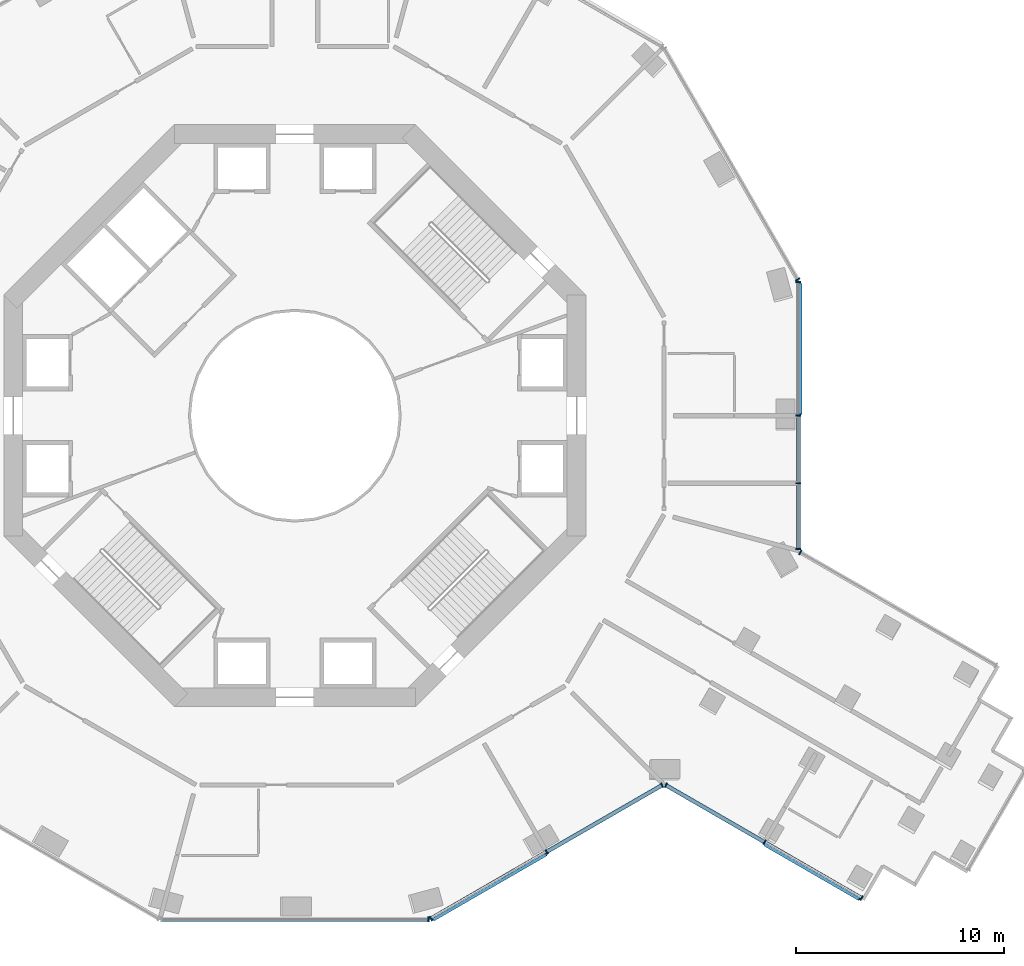
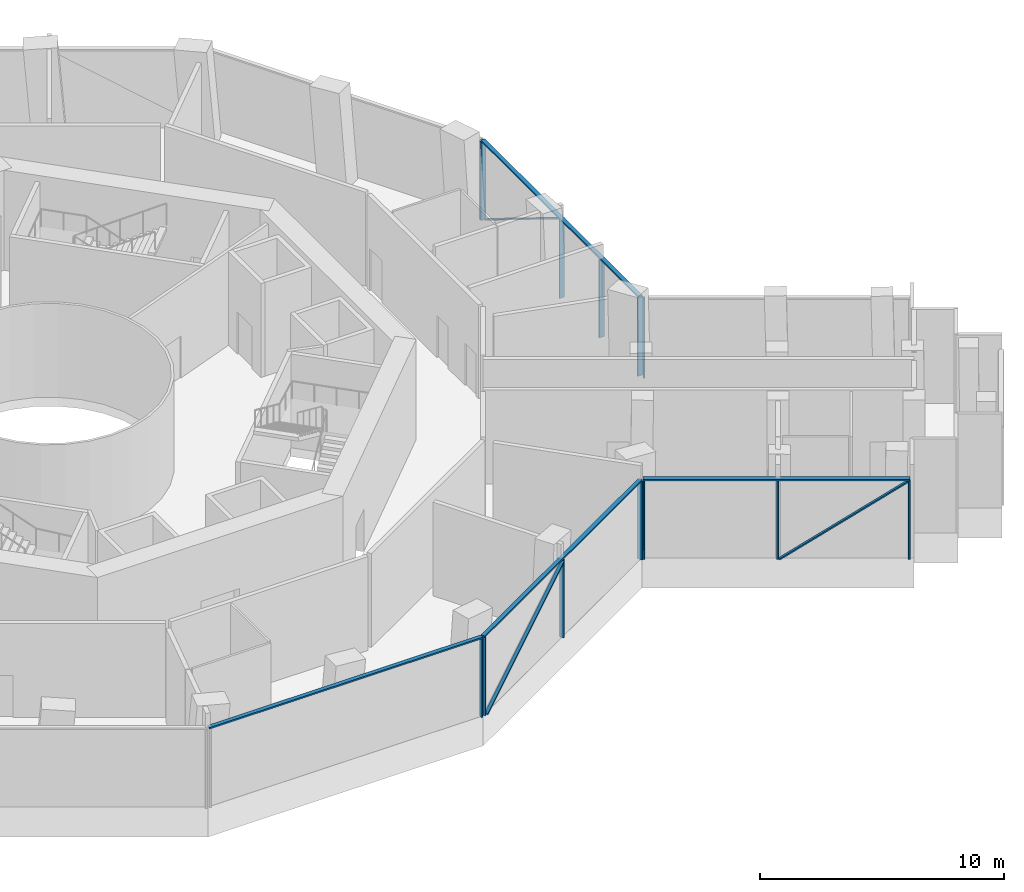
# One storey, part 3 of 16: 20 members, 6 elements without a shape of their own.
"""IFC4 building model written with IfcOpenShell, lengths in metres."""

from ifc_helpers import new_model, si_unit, direction, frame, origin, origin_2d, place, context, subcontext, project, spatial, rectangle, extrude, material, layer, layer_set, material_profile, profile_set, type_object, element, aggregate, save


model = new_model("IFC4")

# Units and contexts
model_context = context("Model", 3, precision=1e-05, world=origin(), true_north=direction((0.0, 1.0)))
body_context = subcontext(model_context, "Body", "Model", "MODEL_VIEW")
ifc_project = project(units=[si_unit("LENGTHUNIT", "METRE"), si_unit("AREAUNIT", "SQUARE_METRE"), si_unit("VOLUMEUNIT", "CUBIC_METRE"), si_unit("PLANEANGLEUNIT", "RADIAN"), si_unit("MASSUNIT", "GRAM", prefix="KILO")], contexts=[model_context])

# Site, building, storey
site_placement = place(None, origin())
site = spatial("IfcSite", under=ifc_project, at=site_placement, CompositionType="ELEMENT")
building_placement = place(site_placement, origin())
building = spatial("IfcBuilding", under=site, at=building_placement, Name="Verdalira Terraces Hotel", CompositionType="ELEMENT")
storey_placement = place(building_placement, frame((0.0, 0.0, 34.0)))
storey = spatial("IfcBuildingStorey", under=building, at=storey_placement, Name="L06", CompositionType="ELEMENT", Elevation=34.0)

# Curtain wall, member
ifc_material_1 = material(Name="Clear glass", Category="glass")
ifc_layer = layer(ifc_material_1, 0.239990234375)
ifc_layer_set = layer_set([ifc_layer], Name="CW5 curtain wall")
curtain_wall_type = type_object("IfcCurtainWallType", Name="CW5 curtain wall", PredefinedType="NOTDEFINED", material=ifc_layer_set)
curtain_wall_1_placement = place(storey_placement, origin())
curtain_wall_1 = element("IfcCurtainWall", 1, at=curtain_wall_1_placement, inside=storey, type_object=curtain_wall_type, Name="CW5 curtain wall L06 edge 26", PredefinedType="NOTDEFINED")
ifc_material_2 = material(Name="Terracotta frame", Category="masonry")
ifc_material_profile_1 = material_profile(ifc_material_2, rectangle(XDim=0.070068, YDim=0.23999, at=origin_2d()), Name="MU 70x240")
ifc_profile_set_1 = profile_set([ifc_material_profile_1], Name="Terracotta frame")
member_type_1 = type_object("IfcMemberType", Name="CW5 mullion 70x240", PredefinedType="MULLION", material=ifc_profile_set_1)
member_1_placement = place(storey_placement, frame((6.424805, -24.228271, 0.0), z_axis=(0.0, 0.0, 1.0), x_axis=(1.0, 0.0, 0.0)))
member_1 = element("IfcMember", 2, at=member_1_placement, type_object=member_type_1, Name="CW5 mullion", PredefinedType="MULLION", context=body_context, shape_type="SweptSolid", body=[
    extrude(rectangle(XDim=0.070068, YDim=0.23999, at=origin_2d()), origin(), (0.0, 0.0, 1.0), 3.915039),
])

# Curtain wall, members
curtain_wall_2_placement = place(storey_placement, origin())
curtain_wall_2 = element("IfcCurtainWall", 3, at=curtain_wall_2_placement, inside=storey, type_object=curtain_wall_type, Name="CW5 curtain wall L06 edge 27", PredefinedType="NOTDEFINED")
member_2_placement = place(storey_placement, frame((6.550049, -24.194824, 0.0), z_axis=(0.0, 0.0, 1.0), x_axis=(0.866025404, 0.5, 0.0)))
member_2 = element("IfcMember", 4, at=member_2_placement, type_object=member_type_1, Name="CW5 mullion", PredefinedType="MULLION", context=body_context, shape_type="SweptSolid", body=[
    extrude(rectangle(XDim=0.070068, YDim=0.23999, at=origin_2d()), origin(), (0.0, 0.0, 1.0), 3.915039),
])
member_3_placement = place(storey_placement, frame((12.114258, -20.982422, 0.0), z_axis=(0.0, 0.0, 1.0), x_axis=(0.866025404, 0.5, 0.0)))
member_3 = element("IfcMember", 5, at=member_3_placement, type_object=member_type_1, Name="CW5 mullion", PredefinedType="MULLION", context=body_context, shape_type="SweptSolid", body=[
    extrude(rectangle(XDim=0.070068, YDim=0.23999, at=origin_2d()), origin(), (0.0, 0.0, 1.0), 3.915039),
])
member_4_placement = place(storey_placement, frame((17.667969, -17.775879, 0.0), z_axis=(0.0, 0.0, 1.0), x_axis=(0.866025404, 0.5, 0.0)))
member_4 = element("IfcMember", 6, at=member_4_placement, type_object=member_type_1, Name="CW5 mullion", PredefinedType="MULLION", context=body_context, shape_type="SweptSolid", body=[
    extrude(rectangle(XDim=0.070068, YDim=0.23999, at=origin_2d()), origin(), (0.0, 0.0, 1.0), 3.915039),
])

curtain_wall_3_placement = place(storey_placement, origin())
curtain_wall_3 = element("IfcCurtainWall", 7, at=curtain_wall_3_placement, inside=storey, type_object=curtain_wall_type, Name="CW5 curtain wall L06 edge 28", PredefinedType="NOTDEFINED")
member_5_placement = place(storey_placement, frame((17.848633, -17.775879, 0.0), z_axis=(0.0, 0.0, 1.0), x_axis=(0.866025404, -0.5, 0.0)))
member_5 = element("IfcMember", 8, at=member_5_placement, type_object=member_type_1, Name="CW5 mullion", PredefinedType="MULLION", context=body_context, shape_type="SweptSolid", body=[
    extrude(rectangle(XDim=0.070068, YDim=0.23999, at=origin_2d()), origin(), (0.0, 0.0, 1.0), 3.915039),
])
member_6_placement = place(storey_placement, frame((22.5979, -20.517822, 0.0), z_axis=(0.0, 0.0, 1.0), x_axis=(0.866025404, -0.5, 0.0)))
member_6 = element("IfcMember", 9, at=member_6_placement, type_object=member_type_1, Name="CW5 mullion", PredefinedType="MULLION", context=body_context, shape_type="SweptSolid", body=[
    extrude(rectangle(XDim=0.070068, YDim=0.23999, at=origin_2d()), origin(), (0.0, 0.0, 1.0), 3.915039),
])
member_7_placement = place(storey_placement, frame((27.261963, -23.210693, 0.0), z_axis=(0.0, 0.0, 1.0), x_axis=(0.866025404, -0.5, 0.0)))
member_7 = element("IfcMember", 10, at=member_7_placement, type_object=member_type_1, Name="CW5 mullion", PredefinedType="MULLION", context=body_context, shape_type="SweptSolid", body=[
    extrude(rectangle(XDim=0.070068, YDim=0.23999, at=origin_2d()), origin(), (0.0, 0.0, 1.0), 3.915039),
])

# Curtain wall, member
curtain_wall_4_placement = place(storey_placement, origin())
curtain_wall_4 = element("IfcCurtainWall", 11, at=curtain_wall_4_placement, inside=storey, type_object=curtain_wall_type, Name="CW5 curtain wall L06 edge 38", PredefinedType="NOTDEFINED")
member_8_placement = place(storey_placement, frame((24.318604, -6.56958, 0.0), z_axis=(0.0, 0.0, 1.0), x_axis=(-0.866025404, 0.5, 0.0)))
member_8 = element("IfcMember", 12, at=member_8_placement, type_object=member_type_1, Name="CW5 mullion", PredefinedType="MULLION", context=body_context, shape_type="SweptSolid", body=[
    extrude(rectangle(XDim=0.070068, YDim=0.23999, at=origin_2d()), origin(), (0.0, 0.0, 1.0), 3.915039),
])
aggregate(curtain_wall_4, [member_8])

# Curtain wall, members
curtain_wall_5_placement = place(storey_placement, origin())
curtain_wall_5 = element("IfcCurtainWall", 13, at=curtain_wall_5_placement, inside=storey, type_object=curtain_wall_type, Name="CW5 curtain wall L06 edge 39", PredefinedType="NOTDEFINED")
member_9_placement = place(storey_placement, frame((24.228271, -6.413086, 0.0), z_axis=(0.0, 0.0, 1.0), x_axis=(0.0, 1.0, 0.0)))
member_9 = element("IfcMember", 14, at=member_9_placement, type_object=member_type_1, Name="CW5 mullion", PredefinedType="MULLION", context=body_context, shape_type="SweptSolid", body=[
    extrude(rectangle(XDim=0.070068, YDim=0.23999, at=origin_2d()), origin(), (0.0, 0.0, 1.0), 3.915039),
])
member_10_placement = place(storey_placement, frame((24.228271, -3.25, 0.0), z_axis=(0.0, 0.0, 1.0), x_axis=(0.0, 1.0, 0.0)))
member_10 = element("IfcMember", 15, at=member_10_placement, type_object=member_type_1, Name="CW5 mullion", PredefinedType="MULLION", context=body_context, shape_type="SweptSolid", body=[
    extrude(rectangle(XDim=0.070068, YDim=0.23999, at=origin_2d()), origin(), (0.0, 0.0, 1.0), 3.915039),
])
member_11_placement = place(storey_placement, frame((24.228271, 0.0, 0.0), z_axis=(0.0, 0.0, 1.0), x_axis=(0.0, 1.0, 0.0)))
member_11 = element("IfcMember", 16, at=member_11_placement, type_object=member_type_1, Name="CW5 mullion", PredefinedType="MULLION", context=body_context, shape_type="SweptSolid", body=[
    extrude(rectangle(XDim=0.070068, YDim=0.23999, at=origin_2d()), origin(), (0.0, 0.0, 1.0), 3.915039),
])
member_12_placement = place(storey_placement, frame((24.228271, 6.424805, 0.0), z_axis=(0.0, 0.0, 1.0), x_axis=(0.0, 1.0, 0.0)))
member_12 = element("IfcMember", 17, at=member_12_placement, type_object=member_type_1, Name="CW5 mullion", PredefinedType="MULLION", context=body_context, shape_type="SweptSolid", body=[
    extrude(rectangle(XDim=0.070068, YDim=0.23999, at=origin_2d()), origin(), (0.0, 0.0, 1.0), 3.915039),
])

# Curtain wall, member
curtain_wall_6_placement = place(storey_placement, origin())
curtain_wall_6 = element("IfcCurtainWall", 18, at=curtain_wall_6_placement, inside=storey, type_object=curtain_wall_type, Name="CW5 curtain wall L06 edge 40", PredefinedType="NOTDEFINED")
member_13_placement = place(storey_placement, frame((24.194824, 6.550049, 0.0), z_axis=(0.0, 0.0, 1.0), x_axis=(-0.5, 0.866025404, 0.0)))
member_13 = element("IfcMember", 19, at=member_13_placement, type_object=member_type_1, Name="CW5 mullion", PredefinedType="MULLION", context=body_context, shape_type="SweptSolid", body=[
    extrude(rectangle(XDim=0.070068, YDim=0.23999, at=origin_2d()), origin(), (0.0, 0.0, 1.0), 3.915039),
])
aggregate(curtain_wall_6, [member_13])

# Member
ifc_material_3 = material(Name="Terracotta frame", Category="masonry")
ifc_material_profile_2 = material_profile(ifc_material_3, rectangle(XDim=0.189941, YDim=0.074951, at=origin_2d()), Name="TR 75x190")
ifc_profile_set_2 = profile_set([ifc_material_profile_2], Name="Terracotta frame")
member_type_2 = type_object("IfcMemberType", Name="CW5 transom 75x190", PredefinedType="USERDEFINED", material=ifc_profile_set_2)
member_14_placement = place(storey_placement, frame((-6.459717, -24.228271, 3.952393), z_axis=(1.0, 0.0, 0.0), x_axis=(0.0, 1.0, 0.0)))
member_14 = element("IfcMember", 20, at=member_14_placement, type_object=member_type_2, Name="CW5 transom", ObjectType="TRANSOM", PredefinedType="USERDEFINED", context=body_context, shape_type="SweptSolid", body=[
    extrude(rectangle(XDim=0.189941, YDim=0.074951, at=origin_2d()), origin(), (0.0, 0.0, 1.0), 12.919434),
])

aggregate(curtain_wall_1, [member_1, member_14])

member_15_placement = place(storey_placement, frame((6.519775, -24.212158, 3.952393), z_axis=(0.866026524, 0.49999806, 0.0), x_axis=(-0.49999806, 0.866026524, 0.0)))
member_15 = element("IfcMember", 21, at=member_15_placement, type_object=member_type_2, Name="CW5 transom", ObjectType="TRANSOM", PredefinedType="USERDEFINED", context=body_context, shape_type="SweptSolid", body=[
    extrude(rectangle(XDim=0.189941, YDim=0.074951, at=origin_2d()), origin(), (0.0, 0.0, 1.0), 12.907715),
])

member_16_placement = place(storey_placement, frame((17.818359, -17.758301, 3.952393), z_axis=(0.866022066, -0.500005782, 0.0), x_axis=(0.500005782, 0.866022066, 0.0)))
member_16 = element("IfcMember", 22, at=member_16_placement, type_object=member_type_2, Name="CW5 transom", ObjectType="TRANSOM", PredefinedType="USERDEFINED", context=body_context, shape_type="SweptSolid", body=[
    extrude(rectangle(XDim=0.189941, YDim=0.074951, at=origin_2d()), origin(), (0.0, 0.0, 1.0), 10.939697),
])

member_17_placement = place(storey_placement, frame((24.228271, -6.447998, 3.952393), z_axis=(0.0, 1.0, 0.0), x_axis=(-1.0, 0.0, 0.0)))
member_17 = element("IfcMember", 23, at=member_17_placement, type_object=member_type_2, Name="CW5 transom", ObjectType="TRANSOM", PredefinedType="USERDEFINED", context=body_context, shape_type="SweptSolid", body=[
    extrude(rectangle(XDim=0.189941, YDim=0.074951, at=origin_2d()), origin(), (0.0, 0.0, 1.0), 12.907715),
])

ifc_material_4 = material(Name="Terracotta frame", Category="masonry")
ifc_material_profile_3 = material_profile(ifc_material_4, rectangle(XDim=0.149902, YDim=0.060059, at=origin_2d()), Name="GB 60x150")
ifc_profile_set_3 = profile_set([ifc_material_profile_3], Name="Terracotta frame")
member_type_3 = type_object("IfcMemberType", Name="Diagonal glazing bar 60x150", PredefinedType="USERDEFINED", material=ifc_profile_set_3)
member_18_placement = place(storey_placement, frame((6.66626, -24.239746, 0.026611), z_axis=(0.737333783, 0.425701165, 0.52451636), x_axis=(-0.500001151, 0.866024739, 0.0)))
member_18 = element("IfcMember", 24, at=member_18_placement, type_object=member_type_3, Name="Diagonal glazing bar", ObjectType="GLAZING BAR", PredefinedType="USERDEFINED", context=body_context, shape_type="SweptSolid", body=[
    extrude(rectangle(XDim=0.149902, YDim=0.060059, at=origin_2d()), origin(), (0.0, 0.0, 1.0), 7.362549),
])

aggregate(curtain_wall_2, [member_2, member_3, member_4, member_15, member_18])

member_19_placement = place(storey_placement, frame((22.609375, -20.636475, 0.025391), z_axis=(0.697333358, -0.402597339, 0.592993735), x_axis=(0.499992303, 0.866029847, 0.0)))
member_19 = element("IfcMember", 25, at=member_19_placement, type_object=member_type_3, Name="Diagonal glazing bar", ObjectType="GLAZING BAR", PredefinedType="USERDEFINED", context=body_context, shape_type="SweptSolid", body=[
    extrude(rectangle(XDim=0.149902, YDim=0.060059, at=origin_2d()), origin(), (0.0, 0.0, 1.0), 6.516602),
])

aggregate(curtain_wall_3, [member_5, member_6, member_7, member_16, member_19])

member_20_placement = place(storey_placement, frame((24.325439, 0.078125, 3.888428), z_axis=(0.0, 0.851400908, -0.524515484), x_axis=(-1.0, 0.0, 0.0)))
member_20 = element("IfcMember", 26, at=member_20_placement, type_object=member_type_3, Name="Diagonal glazing bar", ObjectType="GLAZING BAR", PredefinedType="USERDEFINED", context=body_context, shape_type="SweptSolid", body=[
    extrude(rectangle(XDim=0.149902, YDim=0.060059, at=origin_2d()), origin(), (0.0, 0.0, 1.0), 7.362549),
])

aggregate(curtain_wall_5, [member_9, member_10, member_11, member_12, member_17, member_20])

save(model, "model.ifc")
